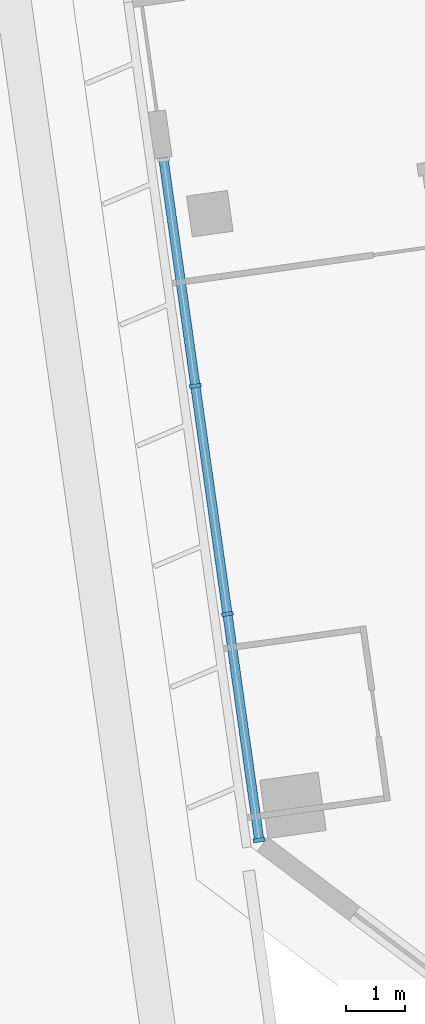
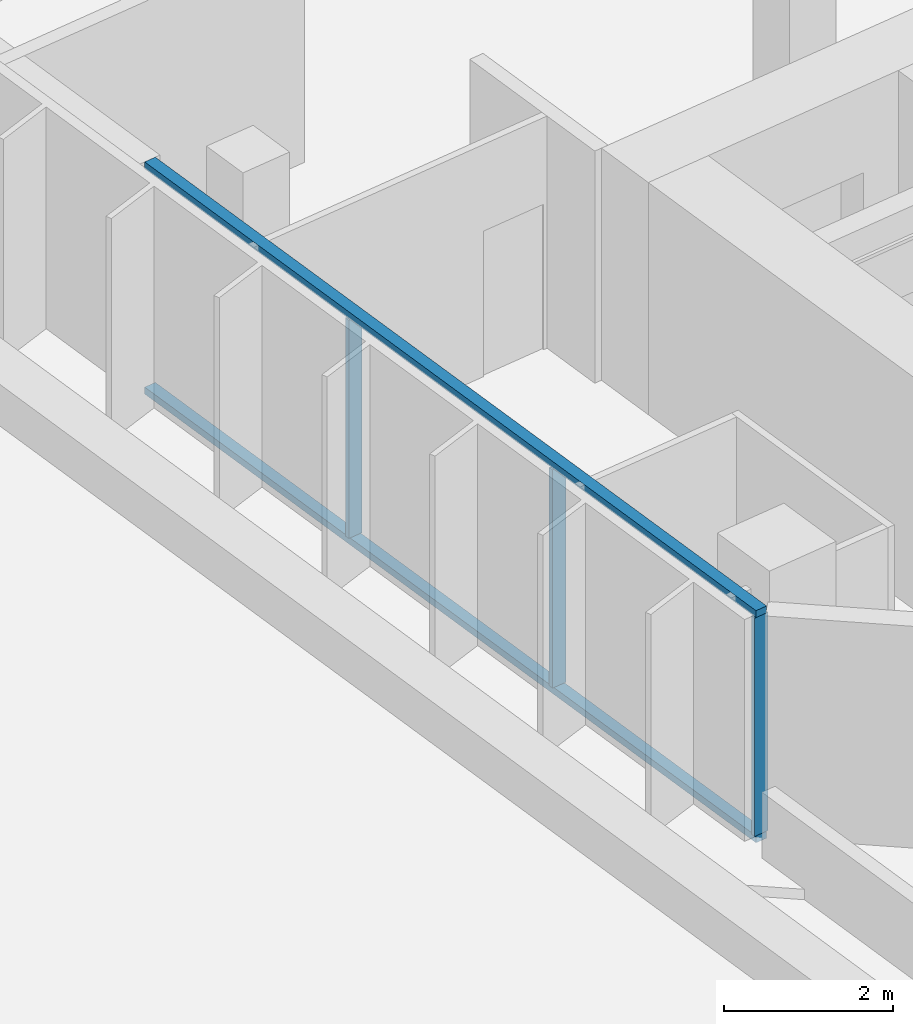
# One storey, part 13 of 46: 5 members, 1 element without a shape of its own.
"""IFC4 building model written with IfcOpenShell, lengths in metres."""

from ifc_helpers import new_model, si_unit, direction, frame, origin, origin_2d, place, context, subcontext, project, spatial, rectangle, extrude, material, material_profile, profile_set, type_object, element, aggregate, save


model = new_model("IFC4")

# Units and contexts
model_context = context("Model", 3, precision=1e-05, world=origin(), true_north=direction((0.0, 1.0)))
body_context = subcontext(model_context, "Body", "Model", "MODEL_VIEW")
ifc_project = project(units=[si_unit("LENGTHUNIT", "METRE"), si_unit("AREAUNIT", "SQUARE_METRE"), si_unit("VOLUMEUNIT", "CUBIC_METRE"), si_unit("PLANEANGLEUNIT", "RADIAN"), si_unit("MASSUNIT", "GRAM", prefix="KILO")], contexts=[model_context])

# Site, building, storey
site_placement = place(None, origin())
site = spatial("IfcSite", under=ifc_project, at=site_placement, CompositionType="ELEMENT")
building_placement = place(site_placement, origin())
building = spatial("IfcBuilding", under=site, at=building_placement, Name="Mirante Cascada Hotel Towers", CompositionType="ELEMENT")
storey_placement = place(building_placement, frame((0.0, 0.0, 39.5)))
storey = spatial("IfcBuildingStorey", under=building, at=storey_placement, Name="L06", CompositionType="ELEMENT", Elevation=39.5)

# Curtain wall, members
ifc_material_1 = material(Name="Aluminium mullion and transom frame with clear laminated glass", Category="aluminium")
curtain_wall_type = type_object("IfcCurtainWallType", Name="End ribbon curtain wall ECW2", PredefinedType="NOTDEFINED", material=ifc_material_1)
curtain_wall_placement = place(storey_placement, origin())
curtain_wall = element("IfcCurtainWall", 1, at=curtain_wall_placement, inside=storey, type_object=curtain_wall_type, Name="Inner end wall T2 L06 run 3", PredefinedType="NOTDEFINED")
ifc_material_2 = material(Name="Anodised aluminium extrusion", Category="aluminium")
ifc_material_profile_1 = material_profile(ifc_material_2, rectangle(XDim=0.2, YDim=0.065, at=origin_2d()), Name="ECW2 MULLION 65x200")
ifc_profile_set_1 = profile_set([ifc_material_profile_1], Name="Anodised aluminium extrusion")
member_type_1 = type_object("IfcMemberType", Name="ECW2 mullion 65x200", PredefinedType="MULLION", material=ifc_profile_set_1)
member_1_placement = place(storey_placement, frame((31.0688, -8.5274, 0.1), z_axis=(0.0, 0.0, 1.0), x_axis=(0.9902681, 0.1391731, 0.0)))
member_1 = element("IfcMember", 2, at=member_1_placement, type_object=member_type_1, Name="ECW2 mullion 2", PredefinedType="MULLION", context=body_context, shape_type="SweptSolid", body=[
    extrude(rectangle(XDim=0.2, YDim=0.065, at=origin_2d()), origin(), (0.0, 0.0, 1.0), 3.15),
])
member_2_placement = place(storey_placement, frame((31.6134, -12.4019, 0.1), z_axis=(0.0, 0.0, 1.0), x_axis=(0.9902681, 0.1391731, 0.0)))
member_2 = element("IfcMember", 3, at=member_2_placement, type_object=member_type_1, Name="ECW2 mullion 3", PredefinedType="MULLION", context=body_context, shape_type="SweptSolid", body=[
    extrude(rectangle(XDim=0.2, YDim=0.065, at=origin_2d()), origin(), (0.0, 0.0, 1.0), 3.15),
])
member_3_placement = place(storey_placement, frame((32.1534, -16.2443, 0.1), z_axis=(0.0, 0.0, 1.0), x_axis=(0.9902681, 0.1391731, 0.0)))
member_3 = element("IfcMember", 4, at=member_3_placement, type_object=member_type_1, Name="ECW2 mullion 4", PredefinedType="MULLION", context=body_context, shape_type="SweptSolid", body=[
    extrude(rectangle(XDim=0.2, YDim=0.065, at=origin_2d()), origin(), (0.0, 0.0, 1.0), 3.15),
])
ifc_material_3 = material(Name="Anodised aluminium extrusion", Category="aluminium")
ifc_material_profile_2 = material_profile(ifc_material_3, rectangle(XDim=0.16, YDim=0.1, at=origin_2d()), Name="ECW2 TRANSOM 100x160")
ifc_profile_set_2 = profile_set([ifc_material_profile_2], Name="Anodised aluminium extrusion")
member_type_2 = type_object("IfcMemberType", Name="ECW2 transom 100x160", PredefinedType="USERDEFINED", material=ifc_profile_set_2)
member_4_placement = place(storey_placement, frame((30.5243, -4.6528, 0.05), z_axis=(0.1391727, -0.9902681, 0.0), x_axis=(0.9902681, 0.1391727, 0.0)))
member_4 = element("IfcMember", 5, at=member_4_placement, type_object=member_type_2, Name="ECW2 sill transom", ObjectType="TRANSOM", PredefinedType="USERDEFINED", context=body_context, shape_type="SweptSolid", body=[
    extrude(rectangle(XDim=0.16, YDim=0.1, at=origin_2d()), origin(), (0.0, 0.0, 1.0), 11.7379),
])
member_5_placement = place(storey_placement, frame((30.5243, -4.6528, 3.3), z_axis=(0.1391727, -0.9902681, 0.0), x_axis=(0.9902681, 0.1391727, 0.0)))
member_5 = element("IfcMember", 6, at=member_5_placement, type_object=member_type_2, Name="ECW2 head transom", ObjectType="TRANSOM", PredefinedType="USERDEFINED", context=body_context, shape_type="SweptSolid", body=[
    extrude(rectangle(XDim=0.16, YDim=0.1, at=origin_2d()), origin(), (0.0, 0.0, 1.0), 11.7379),
])
aggregate(curtain_wall, [member_4, member_5, member_1, member_2, member_3])

save(model, "model.ifc")
